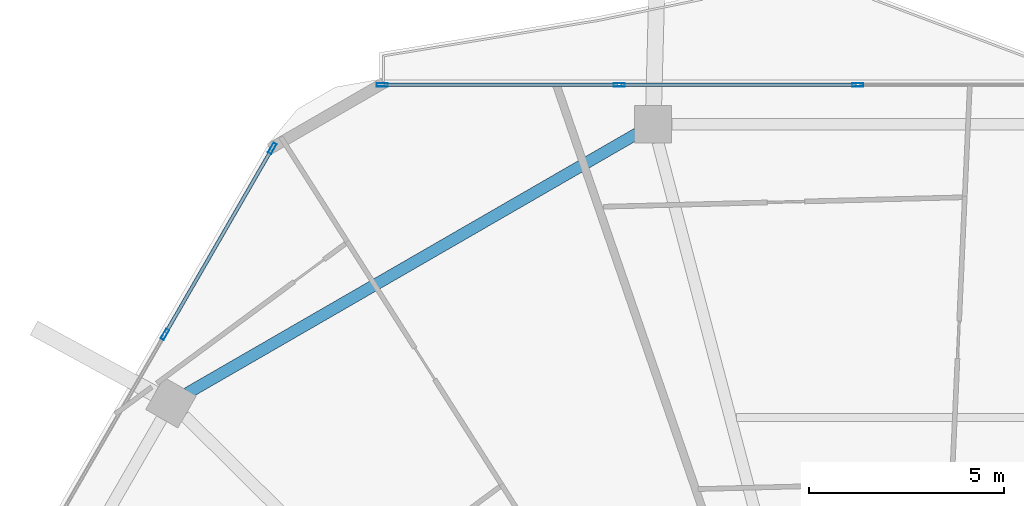
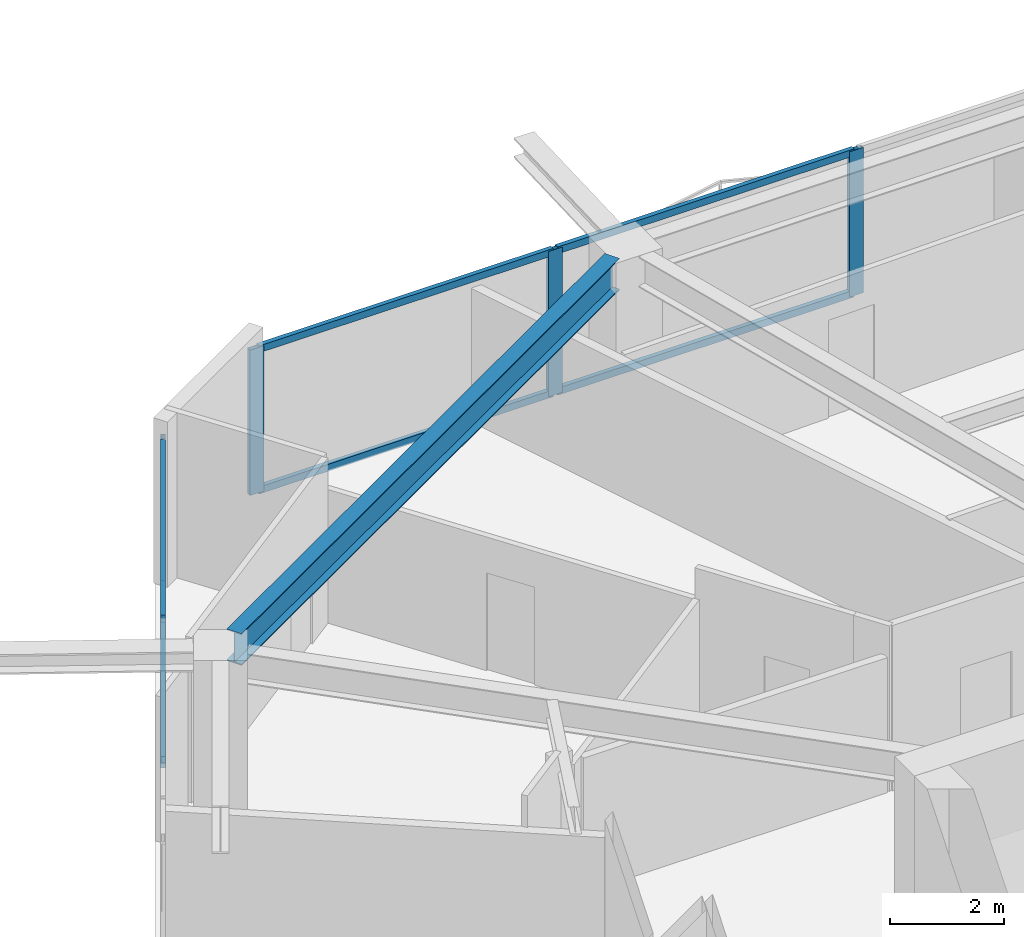
# One storey, part 13 of 25: 11 members, 1 beam, 2 elements without a shape of their own.
"""IFC4 building model written with IfcOpenShell, lengths in metres."""

from ifc_helpers import new_model, si_unit, direction, frame, origin, origin_2d, place, context, subcontext, project, spatial, hollow_rectangle, i_section, extrude, material, material_profile, profile_set, type_object, element, aggregate, save


model = new_model("IFC4")

# Units and contexts
model_context = context("Model", 3, precision=1e-05, world=origin(), true_north=direction((0.0, 1.0)))
body_context = subcontext(model_context, "Body", "Model", "MODEL_VIEW")
ifc_project = project(units=[si_unit("LENGTHUNIT", "METRE"), si_unit("AREAUNIT", "SQUARE_METRE"), si_unit("VOLUMEUNIT", "CUBIC_METRE"), si_unit("PLANEANGLEUNIT", "RADIAN"), si_unit("MASSUNIT", "GRAM", prefix="KILO")], contexts=[model_context])

# Site, building, storey
site_placement = place(None, origin())
site = spatial("IfcSite", under=ifc_project, at=site_placement, CompositionType="ELEMENT")
building_placement = place(site_placement, origin())
building = spatial("IfcBuilding", under=site, at=building_placement, Name="Zuhravey Tower", CompositionType="ELEMENT")
storey_placement = place(building_placement, frame((0.0, 0.0, 196.0)))
storey = spatial("IfcBuildingStorey", under=building, at=storey_placement, Name="L49", CompositionType="ELEMENT", Elevation=196.0)

# Curtain wall, members
ifc_material_1 = material(Name="Thermally broken anodised aluminium", Category="aluminium")
curtain_wall_type = type_object("IfcCurtainWallType", Name="Zone 1-2 Residential Curtain Wall CW3", PredefinedType="NOTDEFINED", material=ifc_material_1)
curtain_wall_1_placement = place(storey_placement, origin())
curtain_wall_1 = element("IfcCurtainWall", 1, at=curtain_wall_1_placement, inside=storey, type_object=curtain_wall_type, Name="L49 CW3 CW-L49-F3-1", PredefinedType="NOTDEFINED")
ifc_material_2 = material(Name="Anodised aluminium", Category="aluminium")
ifc_material_profile_1 = material_profile(ifc_material_2, hollow_rectangle(XDim=0.090087890625, YDim=0.284912109375, WallThickness=0.0048828125, at=origin_2d()), Name="ALU-RHS-90x285x5")
ifc_profile_set_1 = profile_set([ifc_material_profile_1], Name="Anodised aluminium")
member_type_1 = type_object("IfcMemberType", Name="Curtain-Wall Mullion 90x180", PredefinedType="MULLION", material=ifc_profile_set_1)
member_1_placement = place(storey_placement, frame((16.6171875, 52.7939453125, 0.0), z_axis=(0.0, 0.0, 1.0), x_axis=(-0.866025138215, 0.500000459979, 0.0)))
member_1 = element("IfcMember", 2, at=member_1_placement, type_object=member_type_1, Name="CW3 mullion 5", PredefinedType="MULLION", context=body_context, shape_type="SweptSolid", body=[
    extrude(hollow_rectangle(XDim=0.090087890625, YDim=0.284912109375, WallThickness=0.0048828125, at=origin_2d()), origin(), (0.0, 0.0, 1.0), 3.1220703125),
])
member_2_placement = place(storey_placement, frame((19.36669921875, 57.556640625, 0.0), z_axis=(0.0, 0.0, 1.0), x_axis=(-0.866025138215, 0.500000459979, 0.0)))
member_2 = element("IfcMember", 3, at=member_2_placement, type_object=member_type_1, Name="CW3 mullion 6", PredefinedType="MULLION", context=body_context, shape_type="SweptSolid", body=[
    extrude(hollow_rectangle(XDim=0.090087890625, YDim=0.284912109375, WallThickness=0.0048828125, at=origin_2d()), origin(), (0.0, 0.0, 1.0), 3.1220703125),
])

curtain_wall_2_placement = place(storey_placement, origin())
curtain_wall_2 = element("IfcCurtainWall", 4, at=curtain_wall_2_placement, inside=storey, type_object=curtain_wall_type, Name="L49 CW3 CW-L49-F2-1", PredefinedType="NOTDEFINED")
member_3_placement = place(storey_placement, frame((22.183837890625, 59.18310546875, 0.0), z_axis=(0.0, 0.0, 1.0), x_axis=(0.0, 1.0, 0.0)))
member_3 = element("IfcMember", 5, at=member_3_placement, type_object=member_type_1, Name="CW3 mullion 1", PredefinedType="MULLION", context=body_context, shape_type="SweptSolid", body=[
    extrude(hollow_rectangle(XDim=0.090087890625, YDim=0.284912109375, WallThickness=0.0048828125, at=origin_2d()), origin(), (0.0, 0.0, 1.0), 3.1220703125),
])
member_4_placement = place(storey_placement, frame((28.248779296875, 59.18310546875, 0.0), z_axis=(0.0, 0.0, 1.0), x_axis=(0.0, 1.0, 0.0)))
member_4 = element("IfcMember", 6, at=member_4_placement, type_object=member_type_1, Name="CW3 mullion 2", PredefinedType="MULLION", context=body_context, shape_type="SweptSolid", body=[
    extrude(hollow_rectangle(XDim=0.090087890625, YDim=0.284912109375, WallThickness=0.0048828125, at=origin_2d()), origin(), (0.0, 0.0, 1.0), 3.1220703125),
])
member_5_placement = place(storey_placement, frame((34.35888671875, 59.18310546875, 0.0), z_axis=(0.0, 0.0, 1.0), x_axis=(0.0, 1.0, 0.0)))
member_5 = element("IfcMember", 7, at=member_5_placement, type_object=member_type_1, Name="CW3 mullion 3", PredefinedType="MULLION", context=body_context, shape_type="SweptSolid", body=[
    extrude(hollow_rectangle(XDim=0.090087890625, YDim=0.284912109375, WallThickness=0.0048828125, at=origin_2d()), origin(), (0.0, 0.0, 1.0), 3.1220703125),
])

# Member
ifc_material_profile_2 = material_profile(ifc_material_2, hollow_rectangle(XDim=0.090087890625, YDim=0.14990234375, WallThickness=0.0048828125, at=origin_2d()), Name="ALU-RHS-90x150x5")
ifc_profile_set_2 = profile_set([ifc_material_profile_2], Name="Anodised aluminium")
member_type_2 = type_object("IfcMemberType", Name="Curtain-Wall Transom 90x150", PredefinedType="USERDEFINED", material=ifc_profile_set_2)
member_6_placement = place(storey_placement, frame((16.6396484375, 52.8330078125, 0.044921875), z_axis=(0.499993332629, 0.866029253159, 0.0), x_axis=(-0.866029253159, 0.499993332629, 0.0)))
member_6 = element("IfcMember", 8, at=member_6_placement, type_object=member_type_2, Name="CW3 transom 5.1", ObjectType="TRANSOM", PredefinedType="USERDEFINED", context=body_context, shape_type="SweptSolid", body=[
    extrude(hollow_rectangle(XDim=0.090087890625, YDim=0.14990234375, WallThickness=0.0048828125, at=origin_2d()), origin(), (0.0, 0.0, 1.0), 5.4091796875),
])

member_7_placement = place(storey_placement, frame((16.6396484375, 52.8330078125, 3.076904296875), z_axis=(0.499993332629, 0.866029253159, 0.0), x_axis=(-0.866029253159, 0.499993332629, 0.0)))
member_7 = element("IfcMember", 9, at=member_7_placement, type_object=member_type_2, Name="CW3 transom 5.2", ObjectType="TRANSOM", PredefinedType="USERDEFINED", context=body_context, shape_type="SweptSolid", body=[
    extrude(hollow_rectangle(XDim=0.090087890625, YDim=0.14990234375, WallThickness=0.0048828125, at=origin_2d()), origin(), (0.0, 0.0, 1.0), 5.4091796875),
])

aggregate(curtain_wall_1, [member_1, member_2, member_6, member_7])

member_8_placement = place(storey_placement, frame((22.22900390625, 59.18310546875, 0.044921875), z_axis=(1.0, 0.0, 0.0), x_axis=(0.0, 1.0, 0.0)))
member_8 = element("IfcMember", 10, at=member_8_placement, type_object=member_type_2, Name="CW3 transom 1.1", ObjectType="TRANSOM", PredefinedType="USERDEFINED", context=body_context, shape_type="SweptSolid", body=[
    extrude(hollow_rectangle(XDim=0.090087890625, YDim=0.14990234375, WallThickness=0.0048828125, at=origin_2d()), origin(), (0.0, 0.0, 1.0), 5.974853515625),
])

member_9_placement = place(storey_placement, frame((22.22900390625, 59.18310546875, 3.076904296875), z_axis=(1.0, 0.0, 0.0), x_axis=(0.0, 1.0, 0.0)))
member_9 = element("IfcMember", 11, at=member_9_placement, type_object=member_type_2, Name="CW3 transom 1.2", ObjectType="TRANSOM", PredefinedType="USERDEFINED", context=body_context, shape_type="SweptSolid", body=[
    extrude(hollow_rectangle(XDim=0.090087890625, YDim=0.14990234375, WallThickness=0.0048828125, at=origin_2d()), origin(), (0.0, 0.0, 1.0), 5.974853515625),
])

member_10_placement = place(storey_placement, frame((28.2939453125, 59.18310546875, 0.044921875), z_axis=(1.0, 0.0, 0.0), x_axis=(0.0, 1.0, 0.0)))
member_10 = element("IfcMember", 12, at=member_10_placement, type_object=member_type_2, Name="CW3 transom 2.1", ObjectType="TRANSOM", PredefinedType="USERDEFINED", context=body_context, shape_type="SweptSolid", body=[
    extrude(hollow_rectangle(XDim=0.090087890625, YDim=0.14990234375, WallThickness=0.0048828125, at=origin_2d()), origin(), (0.0, 0.0, 1.0), 6.02001953125),
])

member_11_placement = place(storey_placement, frame((28.2939453125, 59.18310546875, 3.076904296875), z_axis=(1.0, 0.0, 0.0), x_axis=(0.0, 1.0, 0.0)))
member_11 = element("IfcMember", 13, at=member_11_placement, type_object=member_type_2, Name="CW3 transom 2.2", ObjectType="TRANSOM", PredefinedType="USERDEFINED", context=body_context, shape_type="SweptSolid", body=[
    extrude(hollow_rectangle(XDim=0.090087890625, YDim=0.14990234375, WallThickness=0.0048828125, at=origin_2d()), origin(), (0.0, 0.0, 1.0), 6.02001953125),
])

aggregate(curtain_wall_2, [member_3, member_4, member_5, member_8, member_9, member_10, member_11])

# Beam
ifc_material_3 = material(Name="Steel SM355", Category="steel")
ifc_material_profile_3 = material_profile(ifc_material_3, i_section(OverallWidth=0.300048828125, OverallDepth=0.679931640625, WebThickness=0.012939453125, FlangeThickness=0.02197265625, at=origin_2d()), Name="H-680x300x13x22")
ifc_profile_set_3 = profile_set([ifc_material_profile_3], Name="Steel SM355")
beam_type = type_object("IfcBeamType", Name="Perimeter Ring Beam H680x300", PredefinedType="BEAM", material=ifc_profile_set_3)
beam_placement = place(storey_placement, frame((28.7041015625, 57.93408203125, 3.2099609375), z_axis=(-0.866029041019, -0.499993700073, 0.0), x_axis=(0.499993700073, -0.866029041019, 0.0)))
element("IfcBeam", 14, at=beam_placement, inside=storey, type_object=beam_type, Name="L49 PB2 BM-L49-PB-04", PredefinedType="BEAM", context=body_context, shape_type="SweptSolid", body=[
    extrude(i_section(OverallWidth=0.300048828125, OverallDepth=0.679931640625, WebThickness=0.012939453125, FlangeThickness=0.02197265625, at=origin_2d()), origin(), (0.0, 0.0, 1.0), 13.297119140625),
])

save(model, "model.ifc")
